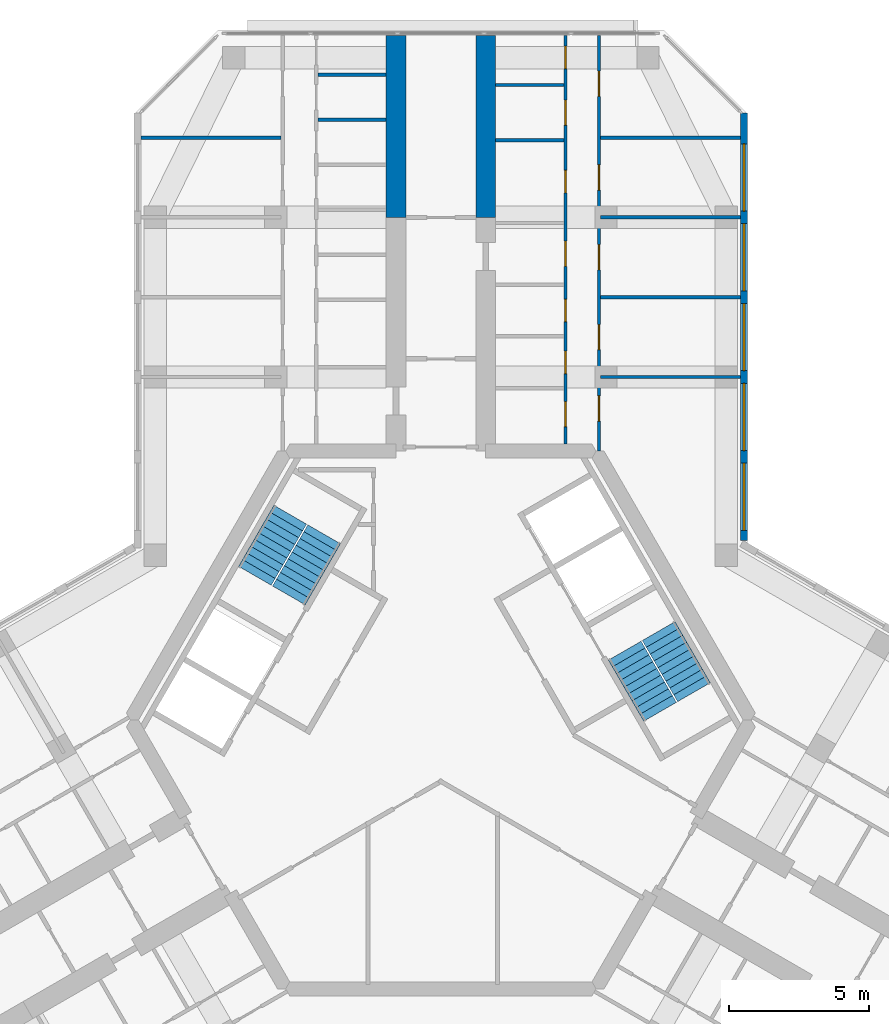
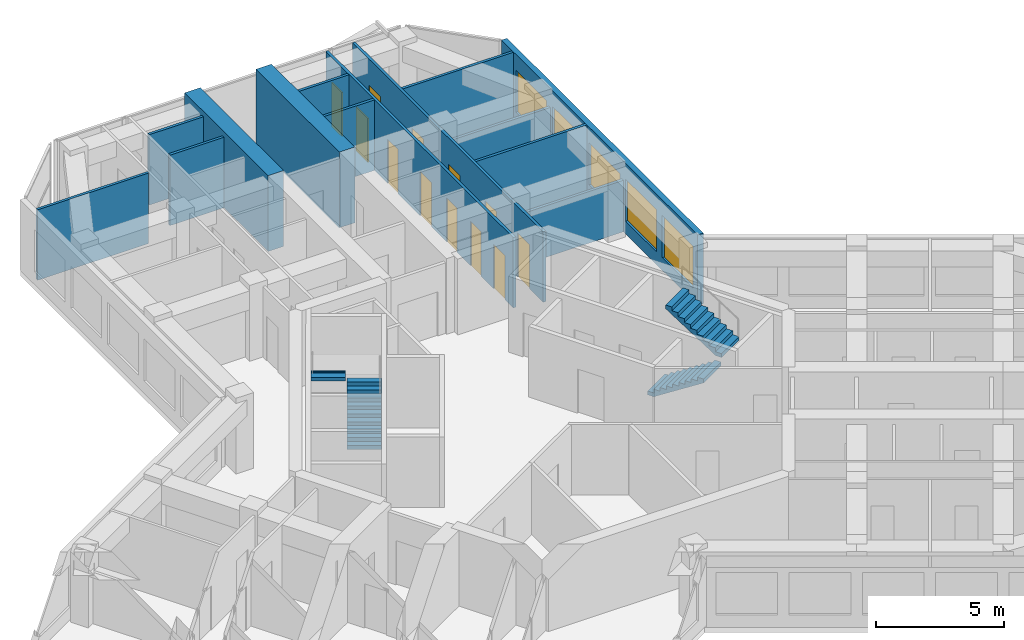
# One storey, part 13 of 14: 14 walls, 12 doors, 5 windows, 4 stair flights, 17 openings, 2 elements without a shape of their own.
"""IFC4 building model written with IfcOpenShell, lengths in metres."""

import ifcopenshell
import ifcopenshell.guid

model = None  # the IFC model being written
_history = None  # IfcOwnerHistory: only IFC2X3 demands one
_inside = {}  # id of a spatial element -> (the spatial element, [elements in it])
_under = {}  # id of a project, library or spatial element -> (it, [spatial elements below it])
_declared = {}  # id of a project -> (the project, [libraries it declares])
_typed = {}  # id of a type object -> (the type object, [elements of that type])
_made_of = {}  # id of a material, layer set ... -> (it, [elements and type objects made of it])


def new_model(schema):
    """Start an empty IFC model of exactly this schema.

    Asked for "IFC4X3", IfcOpenShell would pick the latest addendum, in which some entities
    have other attributes; the version numbers below select the first issue.
    IFC2X3 requires an IfcOwnerHistory on every rooted entity: one is made here for all.
    """
    global model, _history
    if schema == "IFC4X3":
        model = ifcopenshell.file(schema_version=(4, 3, 0, 0))
    else:
        model = ifcopenshell.file(schema=schema)
    _inside.clear()
    _under.clear()
    _declared.clear()
    _typed.clear()
    _made_of.clear()
    _history = None
    if model.schema == "IFC2X3":
        org = make("IfcOrganization", Name="unknown")
        user = make(
            "IfcPersonAndOrganization",
            ThePerson=make("IfcPerson", FamilyName="unknown"),
            TheOrganization=org,
        )
        app = make(
            "IfcApplication",
            ApplicationDeveloper=org,
            Version="unknown",
            ApplicationFullName="unknown",
            ApplicationIdentifier="unknown",
        )
        _history = make(
            "IfcOwnerHistory",
            OwningUser=user,
            OwningApplication=app,
            ChangeAction="ADDED",
            CreationDate=0,
        )
    return model


def make(cls, **values):
    """One entity of the class cls with the attributes given. An attribute that is None is left unset."""
    return model.create_entity(
        cls, **{name: value for name, value in values.items() if value is not None}
    )


def rooted(cls, **values):
    """An entity with a GlobalId (a new one), such as an element, a storey or a relation."""
    return make(cls, GlobalId=ifcopenshell.guid.new(), OwnerHistory=_history, **values)


def si_unit(unit_type, name, prefix=None):
    """IfcSIUnit, for example si_unit("LENGTHUNIT", "METRE", prefix="MILLI")."""
    return make("IfcSIUnit", UnitType=unit_type, Prefix=prefix, Name=name)


def assignment(units):
    """IfcUnitAssignment: the units of a project."""
    return None if units is None else make("IfcUnitAssignment", Units=units)


def point(xyz):
    """IfcCartesianPoint."""
    return None if xyz is None else make("IfcCartesianPoint", Coordinates=xyz)


def direction(xyz):
    """IfcDirection."""
    return None if xyz is None else make("IfcDirection", DirectionRatios=xyz)


def frame(location, z_axis=None, x_axis=None):
    """IfcAxis2Placement3D, a coordinate frame: its origin and axes. An axis left out is left unset."""
    return make(
        "IfcAxis2Placement3D",
        Location=point(location),
        Axis=direction(z_axis),
        RefDirection=direction(x_axis),
    )


def frame_2d(location, x_axis=None):
    """IfcAxis2Placement2D, a coordinate frame in the plane: its origin and x axis."""
    return make(
        "IfcAxis2Placement2D", Location=point(location), RefDirection=direction(x_axis)
    )


def origin():
    """The frame at (0, 0, 0) with its axes left unset."""
    return frame((0.0, 0.0, 0.0))


def place(relative_to, where):
    """IfcLocalPlacement: puts the frame where relative to a parent placement (None: the world)."""
    return make(
        "IfcLocalPlacement", PlacementRelTo=relative_to, RelativePlacement=where
    )


def context(
    kind, dimensions, precision=None, world=None, true_north=None, identifier=None
):
    """IfcGeometricRepresentationContext, for example the 3D "Model" context."""
    return make(
        "IfcGeometricRepresentationContext",
        ContextIdentifier=identifier,
        ContextType=kind,
        CoordinateSpaceDimension=dimensions,
        Precision=precision,
        WorldCoordinateSystem=world,
        TrueNorth=true_north,
    )


def subcontext(parent, identifier, kind, view, scale=None):
    """IfcGeometricRepresentationSubContext, for example "Body" below "Model"."""
    return make(
        "IfcGeometricRepresentationSubContext",
        ContextIdentifier=identifier,
        ContextType=kind,
        ParentContext=parent,
        TargetScale=scale,
        TargetView=view,
    )


def project(units=None, contexts=None):
    """IfcProject with its units and contexts."""
    return rooted(
        "IfcProject",
        Name="project",
        RepresentationContexts=contexts,
        UnitsInContext=assignment(units),
    )


def spatial(cls, under=None, at=None, **own):
    """A site, building, storey or space (cls), placed at a placement, below another one or the project."""
    s = rooted(cls, ObjectPlacement=at, **own)
    if under is not None:
        _under.setdefault(under.id(), (under, []))[1].append(s)
    return s


def polyline(points):
    """IfcPolyline through the points."""
    return make("IfcPolyline", Points=[point(p) for p in points])


def profile(cls, at=None, kind="AREA", **sizes):
    """A parametric profile (cls). Its sizes go by their IFC names, for example OverallWidth=200.0."""
    return make(cls, ProfileType=kind, Position=at, **sizes)


def rectangle(**sizes):
    """IfcRectangleProfileDef."""
    return profile("IfcRectangleProfileDef", **sizes)


def outline(outer, holes=None, kind="AREA"):
    """IfcArbitraryClosedProfileDef: a profile drawn as a closed curve; with holes, ...WithVoids."""
    if holes is None:
        return make("IfcArbitraryClosedProfileDef", ProfileType=kind, OuterCurve=outer)
    return make(
        "IfcArbitraryProfileDefWithVoids",
        ProfileType=kind,
        OuterCurve=outer,
        InnerCurves=holes,
    )


def extrude(swept, where, along, depth):
    """IfcExtrudedAreaSolid: the profile swept, set in the frame where, extruded along a direction by depth."""
    return make(
        "IfcExtrudedAreaSolid",
        SweptArea=swept,
        Position=where,
        ExtrudedDirection=direction(along),
        Depth=depth,
    )


def shape(context_of_items, identifier, shape_type, items):
    """IfcShapeRepresentation: the items that make up one representation, for example the "Body"."""
    return make(
        "IfcShapeRepresentation",
        ContextOfItems=context_of_items,
        RepresentationIdentifier=identifier,
        RepresentationType=shape_type,
        Items=items,
    )


def material(Name=None, Category=None):
    """IfcMaterial."""
    return make("IfcMaterial", Name=Name, Category=Category)


def layer(
    of_material, thickness, ventilated=None, Name=None, Category=None, Priority=None
):
    """IfcMaterialLayer: one layer of a wall or slab, of a material (None: an air gap)."""
    return make(
        "IfcMaterialLayer",
        Material=of_material,
        LayerThickness=thickness,
        IsVentilated=ventilated,
        Name=Name,
        Category=Category,
        Priority=Priority,
    )


def layer_set(layers, Name=None):
    """IfcMaterialLayerSet."""
    return make("IfcMaterialLayerSet", MaterialLayers=layers, LayerSetName=Name)


def made_of(thing, what):
    """Note that an element or type object is made of a material, layer set ...; save() writes the relation."""
    if what is not None:
        _made_of.setdefault(what.id(), (what, []))[1].append(thing)
    return thing


def type_object(cls, material=None, **own):
    """A type object (cls), such as IfcWallType, which elements share."""
    return made_of(rooted(cls, **own), material)


def element(
    cls,
    number,
    at=None,
    inside=None,
    cuts=None,
    type_object=None,
    material=None,
    context=None,
    identifier="Body",
    shape_type=None,
    held_by="IfcProductDefinitionShape",
    body=None,
    shapes=None,
    **own,
):
    """One element of the class cls, such as IfcWall. Its Tag is "e" and its number.

    at: its placement. inside: the storey or other place that contains it. cuts: it is an
    opening in that element (IfcRelVoidsElement). A single representation is given by context,
    identifier, shape_type and body (its items); several are given by shapes. held_by: the class
    of the entity that holds the representations. save() writes the other relations.
    """
    e = rooted(cls, Tag="e%d" % number, ObjectPlacement=at, **own)
    if body is not None:
        shapes = [shape(context, identifier, shape_type, body)]
    if shapes is not None:
        e.Representation = make(held_by, Representations=shapes)
    if inside is not None:
        _inside.setdefault(inside.id(), (inside, []))[1].append(e)
    if cuts is not None:
        rooted(
            "IfcRelVoidsElement", RelatingBuildingElement=cuts, RelatedOpeningElement=e
        )
    if type_object is not None:
        _typed.setdefault(type_object.id(), (type_object, []))[1].append(e)
    return made_of(e, material)


def fill(opening, filler):
    """IfcRelFillsElement: the door or window that sits in an opening."""
    return rooted(
        "IfcRelFillsElement",
        RelatingOpeningElement=opening,
        RelatedBuildingElement=filler,
    )


def aggregate(whole, parts):
    """IfcRelAggregates: a whole, such as a stair, and the parts it consists of."""
    return rooted("IfcRelAggregates", RelatingObject=whole, RelatedObjects=parts)


def save(model, path):
    """Write the relations noted so far, then the file.

    IfcRelAggregates (storeys below a building ...), IfcRelContainedInSpatialStructure (elements
    in a storey), IfcRelDefinesByType, IfcRelAssociatesMaterial and IfcRelDeclares: one each for
    every whole, place, type object, material and project.
    """
    for whole, parts in _under.values():
        aggregate(whole, parts)
    for where, things in _inside.values():
        rooted(
            "IfcRelContainedInSpatialStructure",
            RelatedElements=things,
            RelatingStructure=where,
        )
    for kind, things in _typed.values():
        rooted("IfcRelDefinesByType", RelatedObjects=things, RelatingType=kind)
    for what, things in _made_of.values():
        rooted("IfcRelAssociatesMaterial", RelatedObjects=things, RelatingMaterial=what)
    for by, libraries in _declared.values():
        rooted("IfcRelDeclares", RelatingContext=by, RelatedDefinitions=libraries)
    model.write(path)


model = new_model("IFC4")

# Units and contexts
model_context = context("Model", 3, precision=1e-05, world=origin(), true_north=direction((0.0, 1.0)))
body_context = subcontext(model_context, "Body", "Model", "MODEL_VIEW")
ifc_project = project(units=[si_unit("LENGTHUNIT", "METRE"), si_unit("AREAUNIT", "SQUARE_METRE"), si_unit("VOLUMEUNIT", "CUBIC_METRE"), si_unit("PLANEANGLEUNIT", "RADIAN"), si_unit("MASSUNIT", "GRAM", prefix="KILO")], contexts=[model_context])

# Site, building, storey
site_placement = place(None, origin())
site = spatial("IfcSite", under=ifc_project, at=site_placement, CompositionType="ELEMENT")
building_placement = place(site_placement, origin())
building = spatial("IfcBuilding", under=site, at=building_placement, Name="Kosmar Iwan School Tower", CompositionType="ELEMENT")
storey_placement = place(building_placement, frame((0.0, 0.0, 289.0)))
storey = spatial("IfcBuildingStorey", under=building, at=storey_placement, Name="L73", CompositionType="ELEMENT", Elevation=289.0)

# Walls
ifc_material_1 = material(Name="Concrete C50/60", Category="concrete")
ifc_layer_1 = layer(ifc_material_1, 0.699951171875)
ifc_layer_set_1 = layer_set([ifc_layer_1], Name="Corridor buttress wall 700")
wall_type_1 = type_object("IfcWallType", Name="Corridor buttress wall 700", PredefinedType="SHEAR", material=ifc_layer_set_1)
for number, where, z_axis, x_axis, name in (
    (1, (-1.60009765625, 17.949951171875, 0.0), (0.0, 0.0, 1.0), (0.0, 1.0, 0.0), "Corridor wall AL bay 2"),
    (2, (1.60009765625, 17.949951171875, 0.0), (0.0, 0.0, 1.0), (0.0, 1.0, 0.0), "Corridor wall AR bay 2"),
):
    element("IfcWall", number, at=place(storey_placement, frame(where, z_axis=z_axis, x_axis=x_axis)), inside=storey, type_object=wall_type_1, Name=name, PredefinedType="SHEAR", context=body_context, shape_type="SweptSolid", body=[
        extrude(rectangle(XDim=6.4951171875, YDim=0.699951171875, at=frame_2d((3.24755859375, 0.0))), origin(), (0.0, 0.0, 1.0), 3.60009765625),
    ])
ifc_material_2 = material(Name="Gypsum board on steel studs", Category="steel")
ifc_layer_2 = layer(ifc_material_2, 0.1201171875)
ifc_layer_set_2 = layer_set([ifc_layer_2], Name="Dwelling partition 120")
wall_type_2 = type_object("IfcWallType", Name="Dwelling partition 120", PredefinedType="PARTITIONING", material=ifc_layer_set_2)
wall_1_placement = place(storey_placement, frame((-5.7099609375, 20.800048828125, 0.0), z_axis=(0.0, 0.0, 1.0), x_axis=(-1.0, 0.0, 0.0)))
element("IfcWall", 3, at=wall_1_placement, inside=storey, type_object=wall_type_2, Name="Partition L73-AL1-X4", PredefinedType="PARTITIONING", context=body_context, shape_type="SweptSolid", body=[
    extrude(rectangle(XDim=4.989990234375, YDim=0.1201171875, at=frame_2d((2.4951171875, 0.0))), origin(), (0.0, 0.0, 1.0), 3.35009765625),
])
for number, where, z_axis, x_axis, name in (
    (4, (-1.949951171875, 21.436767578125, 0.0), (0.0, 0.0, 1.0), (-1.0, 0.0, 0.0), "Partition L73-AL1-Y6"),
    (5, (-1.949951171875, 23.043212890625, 0.0), (0.0, 0.0, 1.0), (-1.0, 0.0, 0.0), "Partition L73-AL1-Y7"),
):
    element("IfcWall", number, at=place(storey_placement, frame(where, z_axis=z_axis, x_axis=x_axis)), inside=storey, type_object=wall_type_2, Name=name, PredefinedType="PARTITIONING", context=body_context, shape_type="SweptSolid", body=[
        extrude(rectangle(XDim=2.43994140625, YDim=0.1201171875, at=frame_2d((1.219970703125, 0.0))), origin(), (0.0, 0.0, 1.0), 3.35009765625),
    ])

# Wall, openings, doors
wall_2_placement = place(storey_placement, frame((4.449951171875, 9.85009765625, 0.0), z_axis=(0.0, 0.0, 1.0), x_axis=(0.0, 1.0, 0.0)))
wall_2 = element("IfcWall", 6, at=wall_2_placement, inside=storey, type_object=wall_type_2, Name="Partition L73-AR1-W1", PredefinedType="PARTITIONING", context=body_context, shape_type="SweptSolid", body=[
    extrude(rectangle(XDim=14.594970703125, YDim=0.1201171875, at=frame_2d((7.29736328125, 0.0))), origin(), (0.0, 0.0, 1.0), 3.35009765625),
])
opening_1_placement = place(wall_2_placement, frame((0.625, 0.0, 0.0)))
opening_1 = element("IfcOpeningElement", 7, at=opening_1_placement, cuts=wall_2, Name="Opening D2", PredefinedType="OPENING", context=body_context, shape_type="SweptSolid", body=[
    extrude(rectangle(XDim=0.89990234375, YDim=2.10009765625, at=frame_2d((0.449951171875, 1.050048828125))), frame((0.0, 0.072021484375, 0.0), z_axis=(0.0, -1.0, 0.0), x_axis=(1.0, 0.0, 0.0)), (0.0, 0.0, 1.0), 0.14404296875),
])
opening_2_placement = place(wall_2_placement, frame((2.52490234375, 0.0, 0.0)))
opening_2 = element("IfcOpeningElement", 8, at=opening_2_placement, cuts=wall_2, Name="Opening D3", PredefinedType="OPENING", context=body_context, shape_type="SweptSolid", body=[
    extrude(rectangle(XDim=0.800048828125, YDim=2.10009765625, at=frame_2d((0.39990234375, 1.050048828125))), frame((0.0, 0.072021484375, 0.0), z_axis=(0.0, -1.0, 0.0), x_axis=(1.0, 0.0, 0.0)), (0.0, 0.0, 1.0), 0.14404296875),
])
opening_3_placement = place(wall_2_placement, frame((4.375, 0.0, 0.0)))
opening_3 = element("IfcOpeningElement", 9, at=opening_3_placement, cuts=wall_2, Name="Opening D3", PredefinedType="OPENING", context=body_context, shape_type="SweptSolid", body=[
    extrude(rectangle(XDim=0.800048828125, YDim=2.10009765625, at=frame_2d((0.39990234375, 1.050048828125))), frame((0.0, 0.072021484375, 0.0), z_axis=(0.0, -1.0, 0.0), x_axis=(1.0, 0.0, 0.0)), (0.0, 0.0, 1.0), 0.14404296875),
])
opening_4_placement = place(wall_2_placement, frame((6.35009765625, 0.0, 0.0)))
opening_4 = element("IfcOpeningElement", 10, at=opening_4_placement, cuts=wall_2, Name="Opening D2", PredefinedType="OPENING", context=body_context, shape_type="SweptSolid", body=[
    extrude(rectangle(XDim=0.89990234375, YDim=2.10009765625, at=frame_2d((0.449951171875, 1.050048828125))), frame((0.0, 0.072021484375, 0.0), z_axis=(0.0, -1.0, 0.0), x_axis=(1.0, 0.0, 0.0)), (0.0, 0.0, 1.0), 0.14404296875),
])
opening_5_placement = place(wall_2_placement, frame((8.978515625, 0.0, 0.0)))
opening_5 = element("IfcOpeningElement", 11, at=opening_5_placement, cuts=wall_2, Name="Opening D3", PredefinedType="OPENING", context=body_context, shape_type="SweptSolid", body=[
    extrude(rectangle(XDim=0.800048828125, YDim=2.10009765625, at=frame_2d((0.39990234375, 1.050048828125))), frame((0.0, 0.072021484375, 0.0), z_axis=(0.0, -1.0, 0.0), x_axis=(1.0, 0.0, 0.0)), (0.0, 0.0, 1.0), 0.14404296875),
])
opening_6_placement = place(wall_2_placement, frame((11.392822265625, 0.0, 0.0)))
opening_6 = element("IfcOpeningElement", 12, at=opening_6_placement, cuts=wall_2, Name="Opening D2", PredefinedType="OPENING", context=body_context, shape_type="SweptSolid", body=[
    extrude(rectangle(XDim=0.89990234375, YDim=2.10009765625, at=frame_2d((0.449951171875, 1.050048828125))), frame((0.0, 0.072021484375, 0.0), z_axis=(0.0, -1.0, 0.0), x_axis=(1.0, 0.0, 0.0)), (0.0, 0.0, 1.0), 0.14404296875),
])
opening_7_placement = place(wall_2_placement, frame((13.414306640625, 0.0, 0.0)))
opening_7 = element("IfcOpeningElement", 13, at=opening_7_placement, cuts=wall_2, Name="Opening D3", PredefinedType="OPENING", context=body_context, shape_type="SweptSolid", body=[
    extrude(rectangle(XDim=0.800048828125, YDim=2.10009765625, at=frame_2d((0.39990234375, 1.050048828125))), frame((0.0, 0.072021484375, 0.0), z_axis=(0.0, -1.0, 0.0), x_axis=(1.0, 0.0, 0.0)), (0.0, 0.0, 1.0), 0.14404296875),
])
ifc_material_3 = material(Name="Timber door in timber frame", Category="wood")
door_type_1 = type_object("IfcDoorType", Name="Internal door 900x2100", OperationType="SINGLE_SWING_LEFT", PredefinedType="DOOR", material=ifc_material_3)
door_1_placement = place(opening_1_placement, origin())
door_1 = element("IfcDoor", 14, at=door_1_placement, inside=storey, type_object=door_type_1, Name="Utility room door L73-AR1-S1", OperationType="SINGLE_SWING_LEFT", OverallHeight=2.10009765625, OverallWidth=0.89990234375, PredefinedType="DOOR", context=body_context, shape_type="SweptSolid", body=[
    extrude(rectangle(XDim=0.89990234375, YDim=2.10009765625, at=frame_2d((0.449951171875, 1.050048828125))), frame((0.0, 0.02490234375, 0.0), z_axis=(0.0, -1.0, 0.0), x_axis=(1.0, 0.0, 0.0)), (0.0, 0.0, 1.0), 0.050048828125),
])
fill(opening_1, door_1)
door_2_placement = place(opening_4_placement, origin())
door_2 = element("IfcDoor", 15, at=door_2_placement, inside=storey, type_object=door_type_1, Name="Entrance hall door L73-AR1-S4", OperationType="SINGLE_SWING_RIGHT", OverallHeight=2.10009765625, OverallWidth=0.89990234375, PredefinedType="DOOR", context=body_context, shape_type="SweptSolid", body=[
    extrude(rectangle(XDim=0.89990234375, YDim=2.10009765625, at=frame_2d((0.449951171875, 1.050048828125))), frame((0.0, 0.02490234375, 0.0), z_axis=(0.0, -1.0, 0.0), x_axis=(1.0, 0.0, 0.0)), (0.0, 0.0, 1.0), 0.050048828125),
])
fill(opening_4, door_2)
door_3_placement = place(opening_6_placement, origin())
door_3 = element("IfcDoor", 16, at=door_3_placement, inside=storey, type_object=door_type_1, Name="Pantry door L73-AR1-S6", OperationType="SINGLE_SWING_RIGHT", OverallHeight=2.10009765625, OverallWidth=0.89990234375, PredefinedType="DOOR", context=body_context, shape_type="SweptSolid", body=[
    extrude(rectangle(XDim=0.89990234375, YDim=2.10009765625, at=frame_2d((0.449951171875, 1.050048828125))), frame((0.0, 0.02490234375, 0.0), z_axis=(0.0, -1.0, 0.0), x_axis=(1.0, 0.0, 0.0)), (0.0, 0.0, 1.0), 0.050048828125),
])
fill(opening_6, door_3)
ifc_material_4 = material(Name="Timber door in timber frame", Category="wood")
door_type_2 = type_object("IfcDoorType", Name="Sanitary room door 800x2100", OperationType="SINGLE_SWING_LEFT", PredefinedType="DOOR", material=ifc_material_4)
door_4_placement = place(opening_2_placement, origin())
door_4 = element("IfcDoor", 17, at=door_4_placement, inside=storey, type_object=door_type_2, Name="WC door L73-AR1-S2", OperationType="SINGLE_SWING_RIGHT", OverallHeight=2.10009765625, OverallWidth=0.800048828125, PredefinedType="DOOR", context=body_context, shape_type="SweptSolid", body=[
    extrude(rectangle(XDim=0.800048828125, YDim=2.10009765625, at=frame_2d((0.39990234375, 1.050048828125))), frame((0.0, 0.02490234375, 0.0), z_axis=(0.0, -1.0, 0.0), x_axis=(1.0, 0.0, 0.0)), (0.0, 0.0, 1.0), 0.050048828125),
])
fill(opening_2, door_4)
door_5_placement = place(opening_3_placement, origin())
door_5 = element("IfcDoor", 18, at=door_5_placement, inside=storey, type_object=door_type_2, Name="Shower room door L73-AR1-S3", OperationType="SINGLE_SWING_LEFT", OverallHeight=2.10009765625, OverallWidth=0.800048828125, PredefinedType="DOOR", context=body_context, shape_type="SweptSolid", body=[
    extrude(rectangle(XDim=0.800048828125, YDim=2.10009765625, at=frame_2d((0.39990234375, 1.050048828125))), frame((0.0, 0.02490234375, 0.0), z_axis=(0.0, -1.0, 0.0), x_axis=(1.0, 0.0, 0.0)), (0.0, 0.0, 1.0), 0.050048828125),
])
fill(opening_3, door_5)
door_6_placement = place(opening_5_placement, origin())
door_6 = element("IfcDoor", 19, at=door_6_placement, inside=storey, type_object=door_type_2, Name="Bathroom door L73-AR1-S5", OperationType="SINGLE_SWING_LEFT", OverallHeight=2.10009765625, OverallWidth=0.800048828125, PredefinedType="DOOR", context=body_context, shape_type="SweptSolid", body=[
    extrude(rectangle(XDim=0.800048828125, YDim=2.10009765625, at=frame_2d((0.39990234375, 1.050048828125))), frame((0.0, 0.02490234375, 0.0), z_axis=(0.0, -1.0, 0.0), x_axis=(1.0, 0.0, 0.0)), (0.0, 0.0, 1.0), 0.050048828125),
])
fill(opening_5, door_6)
door_7_placement = place(opening_7_placement, origin())
door_7 = element("IfcDoor", 20, at=door_7_placement, inside=storey, type_object=door_type_2, Name="Store door L73-AR1-S7", OperationType="SINGLE_SWING_RIGHT", OverallHeight=2.10009765625, OverallWidth=0.800048828125, PredefinedType="DOOR", context=body_context, shape_type="SweptSolid", body=[
    extrude(rectangle(XDim=0.800048828125, YDim=2.10009765625, at=frame_2d((0.39990234375, 1.050048828125))), frame((0.0, 0.02490234375, 0.0), z_axis=(0.0, -1.0, 0.0), x_axis=(1.0, 0.0, 0.0)), (0.0, 0.0, 1.0), 0.050048828125),
])
fill(opening_7, door_7)

wall_3_placement = place(storey_placement, frame((5.64990234375, 9.60009765625, 0.0), z_axis=(0.0, 0.0, 1.0), x_axis=(0.0, 1.0, 0.0)))
wall_3 = element("IfcWall", 21, at=wall_3_placement, inside=storey, type_object=wall_type_2, Name="Partition L73-AR1-W2", PredefinedType="PARTITIONING", context=body_context, shape_type="SweptSolid", body=[
    extrude(rectangle(XDim=14.844970703125, YDim=0.1201171875, at=frame_2d((7.42236328125, 0.0))), origin(), (0.0, 0.0, 1.0), 3.35009765625),
])
opening_8_placement = place(wall_3_placement, frame((1.074951171875, 0.0, 0.0)))
opening_8 = element("IfcOpeningElement", 22, at=opening_8_placement, cuts=wall_3, Name="Opening D2", PredefinedType="OPENING", context=body_context, shape_type="SweptSolid", body=[
    extrude(rectangle(XDim=0.89990234375, YDim=2.10009765625, at=frame_2d((0.449951171875, 1.050048828125))), frame((0.0, 0.072021484375, 0.0), z_axis=(0.0, -1.0, 0.0), x_axis=(1.0, 0.0, 0.0)), (0.0, 0.0, 1.0), 0.14404296875),
])
opening_9_placement = place(wall_3_placement, frame((3.625, 0.0, 0.0)))
opening_9 = element("IfcOpeningElement", 23, at=opening_9_placement, cuts=wall_3, Name="Opening D2", PredefinedType="OPENING", context=body_context, shape_type="SweptSolid", body=[
    extrude(rectangle(XDim=0.89990234375, YDim=2.10009765625, at=frame_2d((0.449951171875, 1.050048828125))), frame((0.0, 0.072021484375, 0.0), z_axis=(0.0, -1.0, 0.0), x_axis=(1.0, 0.0, 0.0)), (0.0, 0.0, 1.0), 0.14404296875),
])
opening_10_placement = place(wall_3_placement, frame((6.47509765625, 0.0, 0.0)))
opening_10 = element("IfcOpeningElement", 24, at=opening_10_placement, cuts=wall_3, Name="Opening D2", PredefinedType="OPENING", context=body_context, shape_type="SweptSolid", body=[
    extrude(rectangle(XDim=0.89990234375, YDim=2.10009765625, at=frame_2d((0.449951171875, 1.050048828125))), frame((0.0, 0.072021484375, 0.0), z_axis=(0.0, -1.0, 0.0), x_axis=(1.0, 0.0, 0.0)), (0.0, 0.0, 1.0), 0.14404296875),
])
opening_11_placement = place(wall_3_placement, frame((9.324951171875, 0.0, 0.0)))
opening_11 = element("IfcOpeningElement", 25, at=opening_11_placement, cuts=wall_3, Name="Opening D2", PredefinedType="OPENING", context=body_context, shape_type="SweptSolid", body=[
    extrude(rectangle(XDim=0.89990234375, YDim=2.10009765625, at=frame_2d((0.449951171875, 1.050048828125))), frame((0.0, 0.072021484375, 0.0), z_axis=(0.0, -1.0, 0.0), x_axis=(1.0, 0.0, 0.0)), (0.0, 0.0, 1.0), 0.14404296875),
])
opening_12_placement = place(wall_3_placement, frame((12.675048828125, 0.0, 0.0)))
opening_12 = element("IfcOpeningElement", 26, at=opening_12_placement, cuts=wall_3, Name="Opening D2", PredefinedType="OPENING", context=body_context, shape_type="SweptSolid", body=[
    extrude(rectangle(XDim=0.89990234375, YDim=2.10009765625, at=frame_2d((0.449951171875, 1.050048828125))), frame((0.0, 0.072021484375, 0.0), z_axis=(0.0, -1.0, 0.0), x_axis=(1.0, 0.0, 0.0)), (0.0, 0.0, 1.0), 0.14404296875),
])
door_8_placement = place(opening_8_placement, origin())
door_8 = element("IfcDoor", 27, at=door_8_placement, inside=storey, type_object=door_type_1, Name="Living room door L73-AR1-F1", OperationType="SINGLE_SWING_LEFT", OverallHeight=2.10009765625, OverallWidth=0.89990234375, PredefinedType="DOOR", context=body_context, shape_type="SweptSolid", body=[
    extrude(rectangle(XDim=0.89990234375, YDim=2.10009765625, at=frame_2d((0.449951171875, 1.050048828125))), frame((0.0, 0.02490234375, 0.0), z_axis=(0.0, -1.0, 0.0), x_axis=(1.0, 0.0, 0.0)), (0.0, 0.0, 1.0), 0.050048828125),
])
fill(opening_8, door_8)
door_9_placement = place(opening_9_placement, origin())
door_9 = element("IfcDoor", 28, at=door_9_placement, inside=storey, type_object=door_type_1, Name="Study door L73-AR1-F2", OperationType="SINGLE_SWING_LEFT", OverallHeight=2.10009765625, OverallWidth=0.89990234375, PredefinedType="DOOR", context=body_context, shape_type="SweptSolid", body=[
    extrude(rectangle(XDim=0.89990234375, YDim=2.10009765625, at=frame_2d((0.449951171875, 1.050048828125))), frame((0.0, 0.02490234375, 0.0), z_axis=(0.0, -1.0, 0.0), x_axis=(1.0, 0.0, 0.0)), (0.0, 0.0, 1.0), 0.050048828125),
])
fill(opening_9, door_9)
door_10_placement = place(opening_10_placement, origin())
door_10 = element("IfcDoor", 29, at=door_10_placement, inside=storey, type_object=door_type_1, Name="Bedroom 2 door L73-AR1-F3", OperationType="SINGLE_SWING_LEFT", OverallHeight=2.10009765625, OverallWidth=0.89990234375, PredefinedType="DOOR", context=body_context, shape_type="SweptSolid", body=[
    extrude(rectangle(XDim=0.89990234375, YDim=2.10009765625, at=frame_2d((0.449951171875, 1.050048828125))), frame((0.0, 0.02490234375, 0.0), z_axis=(0.0, -1.0, 0.0), x_axis=(1.0, 0.0, 0.0)), (0.0, 0.0, 1.0), 0.050048828125),
])
fill(opening_10, door_10)
door_11_placement = place(opening_11_placement, origin())
door_11 = element("IfcDoor", 30, at=door_11_placement, inside=storey, type_object=door_type_1, Name="Kitchen and dining room door L73-AR1-F4", OperationType="SINGLE_SWING_RIGHT", OverallHeight=2.10009765625, OverallWidth=0.89990234375, PredefinedType="DOOR", context=body_context, shape_type="SweptSolid", body=[
    extrude(rectangle(XDim=0.89990234375, YDim=2.10009765625, at=frame_2d((0.449951171875, 1.050048828125))), frame((0.0, 0.02490234375, 0.0), z_axis=(0.0, -1.0, 0.0), x_axis=(1.0, 0.0, 0.0)), (0.0, 0.0, 1.0), 0.050048828125),
])
fill(opening_11, door_11)
door_12_placement = place(opening_12_placement, origin())
door_12 = element("IfcDoor", 31, at=door_12_placement, inside=storey, type_object=door_type_1, Name="Bedroom 1 door L73-AR1-F5", OperationType="SINGLE_SWING_RIGHT", OverallHeight=2.10009765625, OverallWidth=0.89990234375, PredefinedType="DOOR", context=body_context, shape_type="SweptSolid", body=[
    extrude(rectangle(XDim=0.89990234375, YDim=2.10009765625, at=frame_2d((0.449951171875, 1.050048828125))), frame((0.0, 0.02490234375, 0.0), z_axis=(0.0, -1.0, 0.0), x_axis=(1.0, 0.0, 0.0)), (0.0, 0.0, 1.0), 0.050048828125),
])
fill(opening_12, door_12)

# Walls
wall_4_placement = place(storey_placement, frame((5.7099609375, 12.25, 0.0), z_axis=(0.0, 0.0, 1.0), x_axis=(1.0, 0.0, 0.0)))
element("IfcWall", 32, at=wall_4_placement, inside=storey, type_object=wall_type_2, Name="Partition L73-AR1-X1", PredefinedType="PARTITIONING", context=body_context, shape_type="SweptSolid", body=[
    extrude(rectangle(XDim=4.989990234375, YDim=0.1201171875, at=frame_2d((2.4951171875, 0.0))), origin(), (0.0, 0.0, 1.0), 2.449951171875),
])
wall_5_placement = place(storey_placement, frame((5.7099609375, 15.10009765625, 0.0), z_axis=(0.0, 0.0, 1.0), x_axis=(1.0, 0.0, 0.0)))
element("IfcWall", 33, at=wall_5_placement, inside=storey, type_object=wall_type_2, Name="Partition L73-AR1-X2", PredefinedType="PARTITIONING", context=body_context, shape_type="SweptSolid", body=[
    extrude(rectangle(XDim=4.989990234375, YDim=0.1201171875, at=frame_2d((2.4951171875, 0.0))), origin(), (0.0, 0.0, 1.0), 3.35009765625),
])
wall_6_placement = place(storey_placement, frame((5.7099609375, 17.949951171875, 0.0), z_axis=(0.0, 0.0, 1.0), x_axis=(1.0, 0.0, 0.0)))
element("IfcWall", 34, at=wall_6_placement, inside=storey, type_object=wall_type_2, Name="Partition L73-AR1-X3", PredefinedType="PARTITIONING", context=body_context, shape_type="SweptSolid", body=[
    extrude(rectangle(XDim=4.989990234375, YDim=0.1201171875, at=frame_2d((2.4951171875, 0.0))), origin(), (0.0, 0.0, 1.0), 2.449951171875),
])
wall_7_placement = place(storey_placement, frame((5.7099609375, 20.800048828125, 0.0), z_axis=(0.0, 0.0, 1.0), x_axis=(1.0, 0.0, 0.0)))
element("IfcWall", 35, at=wall_7_placement, inside=storey, type_object=wall_type_2, Name="Partition L73-AR1-X4", PredefinedType="PARTITIONING", context=body_context, shape_type="SweptSolid", body=[
    extrude(rectangle(XDim=4.989990234375, YDim=0.1201171875, at=frame_2d((2.4951171875, 0.0))), origin(), (0.0, 0.0, 1.0), 3.35009765625),
])
for number, where, z_axis, x_axis, name in (
    (36, (1.949951171875, 20.70703125, 0.0), (0.0, 0.0, 1.0), (1.0, 0.0, 0.0), "Partition L73-AR1-Y5"),
    (37, (1.949951171875, 22.678466796875, 0.0), (0.0, 0.0, 1.0), (1.0, 0.0, 0.0), "Partition L73-AR1-Y6"),
):
    element("IfcWall", number, at=place(storey_placement, frame(where, z_axis=z_axis, x_axis=x_axis)), inside=storey, type_object=wall_type_2, Name=name, PredefinedType="PARTITIONING", context=body_context, shape_type="SweptSolid", body=[
        extrude(rectangle(XDim=2.43994140625, YDim=0.1201171875, at=frame_2d((1.219970703125, 0.0))), origin(), (0.0, 0.0, 1.0), 3.35009765625),
    ])

# Wall, openings, windows
ifc_material_5 = material(Name="Black aluminium rainscreen on insulated framing", Category="aluminium")
ifc_layer_3 = layer(ifc_material_5, 0.25)
ifc_layer_set_3 = layer_set([ifc_layer_3], Name="External wall rainscreen 250")
wall_type_3 = type_object("IfcWallType", Name="External wall rainscreen 250", PredefinedType="SOLIDWALL", material=ifc_layer_set_3)
wall_8_placement = place(storey_placement, frame((10.824951171875, 6.408935546875, 0.0), z_axis=(0.0, 0.0, 1.0), x_axis=(0.0, 1.0, 0.0)))
wall_8 = element("IfcWall", 38, at=wall_8_placement, inside=storey, type_object=wall_type_3, Name="External wall AR L73", PredefinedType="SOLIDWALL", context=body_context, shape_type="SweptSolid", body=[
    extrude(rectangle(XDim=15.2763671875, YDim=0.25, at=frame_2d((7.63818359375, 0.0))), origin(), (0.0, 0.0, 1.0), 3.35009765625),
])
opening_13_placement = place(wall_8_placement, frame((0.365966796875, 0.0, 0.60009765625)))
opening_13 = element("IfcOpeningElement", 39, at=opening_13_placement, cuts=wall_8, Name="Opening W6", PredefinedType="OPENING", context=body_context, shape_type="SweptSolid", body=[
    extrude(rectangle(XDim=2.39990234375, YDim=2.0, at=frame_2d((1.199951171875, 1.0))), frame((0.0, 0.136962890625, 0.0), z_axis=(0.0, -1.0, 0.0), x_axis=(1.0, 0.0, 0.0)), (0.0, 0.0, 1.0), 0.27392578125),
])
opening_14_placement = place(wall_8_placement, frame((3.216064453125, 0.0, 0.60009765625)))
opening_14 = element("IfcOpeningElement", 40, at=opening_14_placement, cuts=wall_8, Name="Opening W6", PredefinedType="OPENING", context=body_context, shape_type="SweptSolid", body=[
    extrude(rectangle(XDim=2.39990234375, YDim=2.0, at=frame_2d((1.199951171875, 1.0))), frame((0.0, 0.136962890625, 0.0), z_axis=(0.0, -1.0, 0.0), x_axis=(1.0, 0.0, 0.0)), (0.0, 0.0, 1.0), 0.27392578125),
])
opening_15_placement = place(wall_8_placement, frame((6.06591796875, 0.0, 0.60009765625)))
opening_15 = element("IfcOpeningElement", 41, at=opening_15_placement, cuts=wall_8, Name="Opening W6", PredefinedType="OPENING", context=body_context, shape_type="SweptSolid", body=[
    extrude(rectangle(XDim=2.39990234375, YDim=2.0, at=frame_2d((1.199951171875, 1.0))), frame((0.0, 0.136962890625, 0.0), z_axis=(0.0, -1.0, 0.0), x_axis=(1.0, 0.0, 0.0)), (0.0, 0.0, 1.0), 0.27392578125),
])
opening_16_placement = place(wall_8_placement, frame((8.916015625, 0.0, 0.60009765625)))
opening_16 = element("IfcOpeningElement", 42, at=opening_16_placement, cuts=wall_8, Name="Opening W6", PredefinedType="OPENING", context=body_context, shape_type="SweptSolid", body=[
    extrude(rectangle(XDim=2.39990234375, YDim=2.0, at=frame_2d((1.199951171875, 1.0))), frame((0.0, 0.136962890625, 0.0), z_axis=(0.0, -1.0, 0.0), x_axis=(1.0, 0.0, 0.0)), (0.0, 0.0, 1.0), 0.27392578125),
])
opening_17_placement = place(wall_8_placement, frame((11.76611328125, 0.0, 0.60009765625)))
opening_17 = element("IfcOpeningElement", 43, at=opening_17_placement, cuts=wall_8, Name="Opening W6", PredefinedType="OPENING", context=body_context, shape_type="SweptSolid", body=[
    extrude(rectangle(XDim=2.39990234375, YDim=2.0, at=frame_2d((1.199951171875, 1.0))), frame((0.0, 0.136962890625, 0.0), z_axis=(0.0, -1.0, 0.0), x_axis=(1.0, 0.0, 0.0)), (0.0, 0.0, 1.0), 0.27392578125),
])
ifc_material_6 = material(Name="Black aluminium frame with dark triple glazing", Category="aluminium")
window_type = type_object("IfcWindowType", Name="Window 2400x2000", PartitioningType="SINGLE_PANEL", PredefinedType="WINDOW", material=ifc_material_6)
window_1_placement = place(opening_13_placement, origin())
window_1 = element("IfcWindow", 44, at=window_1_placement, inside=storey, type_object=window_type, Name="Window AR L73 -1", OverallHeight=2.0, OverallWidth=2.39990234375, PartitioningType="SINGLE_PANEL", PredefinedType="WINDOW", context=body_context, shape_type="SweptSolid", body=[
    extrude(rectangle(XDim=2.39990234375, YDim=2.0, at=frame_2d((1.199951171875, 1.0))), frame((0.0, 0.030029296875, 0.0), z_axis=(0.0, -1.0, 0.0), x_axis=(1.0, 0.0, 0.0)), (0.0, 0.0, 1.0), 0.06005859375),
])
fill(opening_13, window_1)
window_2_placement = place(opening_14_placement, origin())
window_2 = element("IfcWindow", 45, at=window_2_placement, inside=storey, type_object=window_type, Name="Window AR L73 0", OverallHeight=2.0, OverallWidth=2.39990234375, PartitioningType="SINGLE_PANEL", PredefinedType="WINDOW", context=body_context, shape_type="SweptSolid", body=[
    extrude(rectangle(XDim=2.39990234375, YDim=2.0, at=frame_2d((1.199951171875, 1.0))), frame((0.0, 0.030029296875, 0.0), z_axis=(0.0, -1.0, 0.0), x_axis=(1.0, 0.0, 0.0)), (0.0, 0.0, 1.0), 0.06005859375),
])
fill(opening_14, window_2)
window_3_placement = place(opening_15_placement, origin())
window_3 = element("IfcWindow", 46, at=window_3_placement, inside=storey, type_object=window_type, Name="Window AR L73 1", OverallHeight=2.0, OverallWidth=2.39990234375, PartitioningType="SINGLE_PANEL", PredefinedType="WINDOW", context=body_context, shape_type="SweptSolid", body=[
    extrude(rectangle(XDim=2.39990234375, YDim=2.0, at=frame_2d((1.199951171875, 1.0))), frame((0.0, 0.030029296875, 0.0), z_axis=(0.0, -1.0, 0.0), x_axis=(1.0, 0.0, 0.0)), (0.0, 0.0, 1.0), 0.06005859375),
])
fill(opening_15, window_3)
window_4_placement = place(opening_16_placement, origin())
window_4 = element("IfcWindow", 47, at=window_4_placement, inside=storey, type_object=window_type, Name="Window AR L73 2", OverallHeight=2.0, OverallWidth=2.39990234375, PartitioningType="SINGLE_PANEL", PredefinedType="WINDOW", context=body_context, shape_type="SweptSolid", body=[
    extrude(rectangle(XDim=2.39990234375, YDim=2.0, at=frame_2d((1.199951171875, 1.0))), frame((0.0, 0.030029296875, 0.0), z_axis=(0.0, -1.0, 0.0), x_axis=(1.0, 0.0, 0.0)), (0.0, 0.0, 1.0), 0.06005859375),
])
fill(opening_16, window_4)
window_5_placement = place(opening_17_placement, origin())
window_5 = element("IfcWindow", 48, at=window_5_placement, inside=storey, type_object=window_type, Name="Window AR L73 3", OverallHeight=2.0, OverallWidth=2.39990234375, PartitioningType="SINGLE_PANEL", PredefinedType="WINDOW", context=body_context, shape_type="SweptSolid", body=[
    extrude(rectangle(XDim=2.39990234375, YDim=2.0, at=frame_2d((1.199951171875, 1.0))), frame((0.0, 0.030029296875, 0.0), z_axis=(0.0, -1.0, 0.0), x_axis=(1.0, 0.0, 0.0)), (0.0, 0.0, 1.0), 0.06005859375),
])
fill(opening_17, window_5)

# Stair, stair flights
ifc_material_7 = material(Name="Concrete C35/45", Category="concrete")
stair_type = type_object("IfcStairType", Name="Core stair 2750", PredefinedType="HALF_TURN_STAIR", material=ifc_material_7)
stair_1_placement = place(storey_placement, origin())
stair_1 = element("IfcStair", 49, at=stair_1_placement, inside=storey, type_object=stair_type, Name="Stair ST2 L73", PredefinedType="HALF_TURN_STAIR")
ifc_material_8 = material(Name="Concrete C35/45", Category="concrete")
stair_flight_type = type_object("IfcStairFlightType", Name="Stair flight 1350", PredefinedType="STRAIGHT", material=ifc_material_8)
stair_flight_1_placement = place(storey_placement, frame((-5.42724609375, 4.44970703125, 0.0), z_axis=(0.0, 0.0, 1.0), x_axis=(0.5, 0.866025403784, 0.0)))
stair_flight_1 = element("IfcStairFlight", 50, at=stair_flight_1_placement, type_object=stair_flight_type, Name="ST2 flight 1", NumberOfRisers=10, NumberOfTreads=9, PredefinedType="STRAIGHT", RiserHeight=0.18, TreadLength=0.28, context=body_context, shape_type="SweptSolid", body=[
    extrude(outline(polyline([(0.0, 0.0), (0.0, 0.179931640625), (0.280029296875, 0.179931640625), (0.280029296875, 0.360107421875), (0.56005859375, 0.360107421875), (0.56005859375, 0.5400390625), (0.840087890625, 0.5400390625), (0.840087890625, 0.719970703125), (1.1201171875, 0.719970703125), (1.1201171875, 0.89990234375), (1.39990234375, 0.89990234375), (1.39990234375, 1.080078125), (1.679931640625, 1.080078125), (1.679931640625, 1.260009765625), (1.9599609375, 1.260009765625), (1.9599609375, 1.43994140625), (2.239990234375, 1.43994140625), (2.239990234375, 1.6201171875), (2.52001953125, 1.6201171875), (2.52001953125, 1.800048828125), (2.52001953125, 1.44189453125), (0.277099609375, 0.0), (0.0, 0.0)])), frame((0.0, 0.675048828125, 0.0), z_axis=(0.0, -1.0, 0.0), x_axis=(1.0, 0.0, 0.0)), (0.0, 0.0, 1.0), 1.35009765625),
])
stair_flight_2_placement = place(storey_placement, frame((-5.379638671875, 7.33203125, 1.800048828125), z_axis=(0.0, 0.0, 1.0), x_axis=(-0.5, -0.866025403784, 0.0)))
stair_flight_2 = element("IfcStairFlight", 51, at=stair_flight_2_placement, type_object=stair_flight_type, Name="ST2 flight 2", NumberOfRisers=10, NumberOfTreads=9, PredefinedType="STRAIGHT", RiserHeight=0.18, TreadLength=0.28, context=body_context, shape_type="SweptSolid", body=[
    extrude(outline(polyline([(0.0, 0.0), (0.0, 0.179931640625), (0.280029296875, 0.179931640625), (0.280029296875, 0.360107421875), (0.56005859375, 0.360107421875), (0.56005859375, 0.5400390625), (0.840087890625, 0.5400390625), (0.840087890625, 0.719970703125), (1.1201171875, 0.719970703125), (1.1201171875, 0.89990234375), (1.39990234375, 0.89990234375), (1.39990234375, 1.080078125), (1.679931640625, 1.080078125), (1.679931640625, 1.260009765625), (1.9599609375, 1.260009765625), (1.9599609375, 1.43994140625), (2.239990234375, 1.43994140625), (2.239990234375, 1.6201171875), (2.52001953125, 1.6201171875), (2.52001953125, 1.800048828125), (2.52001953125, 1.44189453125), (0.277099609375, 0.0), (0.0, 0.0)])), frame((0.0, 0.675048828125, 0.0), z_axis=(0.0, -1.0, 0.0), x_axis=(1.0, 0.0, 0.0)), (0.0, 0.0, 1.0), 1.35009765625),
])
aggregate(stair_1, [stair_flight_1, stair_flight_2])

stair_2_placement = place(storey_placement, origin())
stair_2 = element("IfcStair", 52, at=stair_2_placement, inside=storey, type_object=stair_type, Name="Stair ST1 L73", PredefinedType="HALF_TURN_STAIR")
stair_flight_3_placement = place(storey_placement, frame((6.567138671875, 2.475341796875, 0.0), z_axis=(0.0, 0.0, 1.0), x_axis=(0.5, -0.866025403784, 0.0)))
stair_flight_3 = element("IfcStairFlight", 53, at=stair_flight_3_placement, type_object=stair_flight_type, Name="ST1 flight 1", NumberOfRisers=10, NumberOfTreads=9, PredefinedType="STRAIGHT", RiserHeight=0.18, TreadLength=0.28, context=body_context, shape_type="SweptSolid", body=[
    extrude(outline(polyline([(0.0, 0.0), (0.0, 0.179931640625), (0.280029296875, 0.179931640625), (0.280029296875, 0.360107421875), (0.56005859375, 0.360107421875), (0.56005859375, 0.5400390625), (0.840087890625, 0.5400390625), (0.840087890625, 0.719970703125), (1.1201171875, 0.719970703125), (1.1201171875, 0.89990234375), (1.39990234375, 0.89990234375), (1.39990234375, 1.080078125), (1.679931640625, 1.080078125), (1.679931640625, 1.260009765625), (1.9599609375, 1.260009765625), (1.9599609375, 1.43994140625), (2.239990234375, 1.43994140625), (2.239990234375, 1.6201171875), (2.52001953125, 1.6201171875), (2.52001953125, 1.800048828125), (2.52001953125, 1.44189453125), (0.277099609375, 0.0), (0.0, 0.0)])), frame((0.0, 0.675048828125, 0.0), z_axis=(0.0, -1.0, 0.0), x_axis=(1.0, 0.0, 0.0)), (0.0, 0.0, 1.0), 1.35009765625),
])
stair_flight_4_placement = place(storey_placement, frame((9.03955078125, 0.992919921875, 1.800048828125), z_axis=(0.0, 0.0, 1.0), x_axis=(-0.5, 0.866025403784, 0.0)))
stair_flight_4 = element("IfcStairFlight", 54, at=stair_flight_4_placement, type_object=stair_flight_type, Name="ST1 flight 2", NumberOfRisers=10, NumberOfTreads=9, PredefinedType="STRAIGHT", RiserHeight=0.18, TreadLength=0.28, context=body_context, shape_type="SweptSolid", body=[
    extrude(outline(polyline([(0.0, 0.0), (0.0, 0.179931640625), (0.280029296875, 0.179931640625), (0.280029296875, 0.360107421875), (0.56005859375, 0.360107421875), (0.56005859375, 0.5400390625), (0.840087890625, 0.5400390625), (0.840087890625, 0.719970703125), (1.1201171875, 0.719970703125), (1.1201171875, 0.89990234375), (1.39990234375, 0.89990234375), (1.39990234375, 1.080078125), (1.679931640625, 1.080078125), (1.679931640625, 1.260009765625), (1.9599609375, 1.260009765625), (1.9599609375, 1.43994140625), (2.239990234375, 1.43994140625), (2.239990234375, 1.6201171875), (2.52001953125, 1.6201171875), (2.52001953125, 1.800048828125), (2.52001953125, 1.44189453125), (0.277099609375, 0.0), (0.0, 0.0)])), frame((0.0, 0.675048828125, 0.0), z_axis=(0.0, -1.0, 0.0), x_axis=(1.0, 0.0, 0.0)), (0.0, 0.0, 1.0), 1.35009765625),
])
aggregate(stair_2, [stair_flight_3, stair_flight_4])

save(model, "model.ifc")
